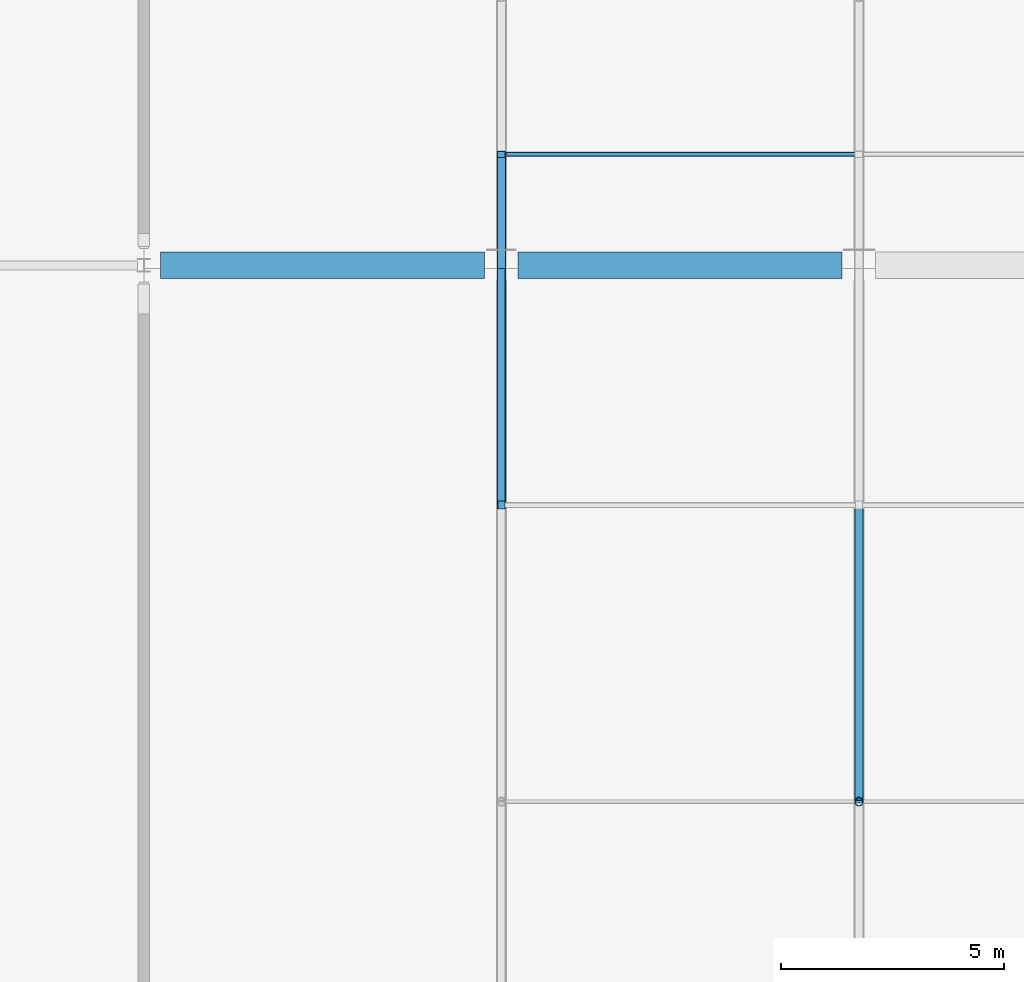
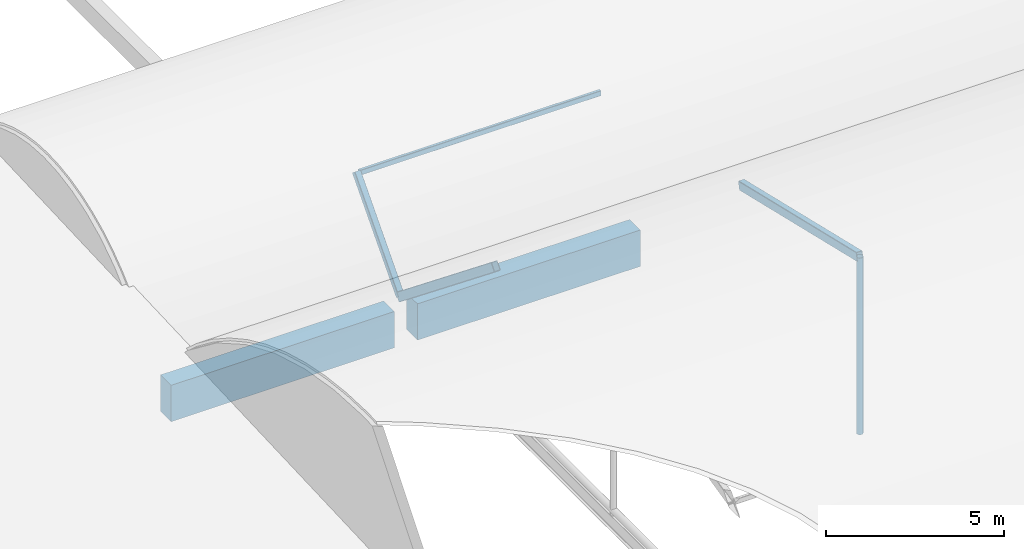
# One storey, part 6 of 57: 5 members, 2 beams.
"""IFC4 building model written with IfcOpenShell, lengths in metres."""

from ifc_helpers import new_model, si_unit, direction, frame, origin, origin_2d, place, context, subcontext, project, spatial, rectangle, hollow_rectangle, hollow_circle, extrude, material, material_profile, profile_set, type_object, element, save


model = new_model("IFC4")

# Units and contexts
model_context = context("Model", 3, precision=1e-05, world=origin(), true_north=direction((0.0, 1.0)))
body_context = subcontext(model_context, "Body", "Model", "MODEL_VIEW")
ifc_project = project(units=[si_unit("LENGTHUNIT", "METRE"), si_unit("AREAUNIT", "SQUARE_METRE"), si_unit("VOLUMEUNIT", "CUBIC_METRE"), si_unit("PLANEANGLEUNIT", "RADIAN"), si_unit("MASSUNIT", "GRAM", prefix="KILO"), si_unit("THERMODYNAMICTEMPERATUREUNIT", "KELVIN"), si_unit("POWERUNIT", "WATT")], contexts=[model_context])

# Site, building, storey
site_placement = place(None, origin())
site = spatial("IfcSite", under=ifc_project, at=site_placement, CompositionType="ELEMENT")
building_placement = place(site_placement, origin())
building = spatial("IfcBuilding", under=site, at=building_placement, Name="Kronsvod Quay Wholesale Market", CompositionType="ELEMENT")
storey_placement = place(building_placement, frame((0.0, 0.0, 13.199951171875)))
storey = spatial("IfcBuildingStorey", under=building, at=storey_placement, Name="L03", CompositionType="ELEMENT", Elevation=13.199951171875)

# Beams
ifc_material_1 = material(Name="Precast concrete C40/50", Category="concrete")
ifc_material_profile_1 = material_profile(ifc_material_1, rectangle(XDim=0.60009765625, YDim=1.25, at=origin_2d()), Name="PCVG600x1250")
ifc_profile_set_1 = profile_set([ifc_material_profile_1], Name="Precast concrete C40/50")
beam_type = type_object("IfcBeamType", Name="Girder_PCVG600x1250", PredefinedType="T_BEAM", material=ifc_profile_set_1)
for number, where, z_axis, x_axis, name in (
    (1, (32.375, 78.0, -0.844970703125), (1.0, 0.0, 0.0), (0.0, 1.0, 0.0), "BMX-L03-320-780"),
    (2, (40.375, 78.0, -0.844970703125), (1.0, 0.0, 0.0), (0.0, 1.0, 0.0), "BMX-L03-400-780"),
):
    element("IfcBeam", number, at=place(storey_placement, frame(where, z_axis=z_axis, x_axis=x_axis)), inside=storey, type_object=beam_type, Name=name, PredefinedType="T_BEAM", context=body_context, shape_type="SweptSolid", body=[
        extrude(rectangle(XDim=0.60009765625, YDim=1.25, at=origin_2d()), origin(), (0.0, 0.0, 1.0), 7.25),
    ])

# Members
ifc_material_2 = material(Name="Steel S355", Category="steel")
ifc_material_profile_2 = material_profile(ifc_material_2, hollow_rectangle(XDim=0.199951171875, YDim=0.199951171875, WallThickness=0.010009765625, InnerFilletRadius=0.010009765625, OuterFilletRadius=0.02001953125, at=origin_2d()), Name="RHS200x200x10")
ifc_profile_set_2 = profile_set([ifc_material_profile_2], Name="Steel S355")
member_type_1 = type_object("IfcMemberType", Name="Member_Arch200x200", PredefinedType="RAFTER", material=ifc_profile_set_2)
member_1_placement = place(storey_placement, frame((40.0, 78.0, -0.010009765625), z_axis=(0.0, 0.66547990509, 0.746415766126), x_axis=(-1.0, 0.0, 0.0)))
element("IfcMember", 3, at=member_1_placement, inside=storey, type_object=member_type_1, Name="ARCG-SH-V1W-N-400-0", PredefinedType="RAFTER", context=body_context, shape_type="SweptSolid", body=[
    extrude(hollow_rectangle(XDim=0.199951171875, YDim=0.199951171875, WallThickness=0.010009765625, InnerFilletRadius=0.010009765625, OuterFilletRadius=0.02001953125, at=origin_2d()), origin(), (0.0, 0.0, 1.0), 3.7314453125),
])
ifc_material_3 = material(Name="Steel S355", Category="steel")
ifc_material_profile_3 = material_profile(ifc_material_3, hollow_rectangle(XDim=0.199951171875, YDim=0.300048828125, WallThickness=0.011962890625, InnerFilletRadius=0.011962890625, OuterFilletRadius=0.02392578125, at=origin_2d()), Name="RHS300x200x12")
ifc_profile_set_3 = profile_set([ifc_material_profile_3], Name="Steel S355")
member_type_2 = type_object("IfcMemberType", Name="Member_Arch300x200", PredefinedType="RAFTER", material=ifc_profile_set_3)
member_2_placement = place(storey_placement, frame((40.0, 72.63671875, 4.2734375), z_axis=(0.0, 0.781378659876, -0.624057200816), x_axis=(-1.0, 0.0, 0.0)))
element("IfcMember", 4, at=member_2_placement, inside=storey, type_object=member_type_2, Name="ARCG-SH-V1W-M-400-3", PredefinedType="RAFTER", context=body_context, shape_type="SweptSolid", body=[
    extrude(hollow_rectangle(XDim=0.199951171875, YDim=0.300048828125, WallThickness=0.011962890625, InnerFilletRadius=0.011962890625, OuterFilletRadius=0.02392578125, at=origin_2d()), origin(), (0.0, 0.0, 1.0), 6.86376953125),
])
member_3_placement = place(storey_placement, frame((48.0, 66.0, 5.840087890625), z_axis=(0.0, 0.973251166163, -0.229743699723), x_axis=(-1.0, 0.0, 0.0)))
element("IfcMember", 5, at=member_3_placement, inside=storey, type_object=member_type_2, Name="ARCG-SH-V1W-M-480-2", PredefinedType="RAFTER", context=body_context, shape_type="SweptSolid", body=[
    extrude(hollow_rectangle(XDim=0.199951171875, YDim=0.300048828125, WallThickness=0.011962890625, InnerFilletRadius=0.011962890625, OuterFilletRadius=0.02392578125, at=origin_2d()), origin(), (0.0, 0.0, 1.0), 6.819091796875),
])
ifc_material_4 = material(Name="Steel S355", Category="steel")
ifc_material_profile_4 = material_profile(ifc_material_4, hollow_circle(Radius=0.096923828125, WallThickness=0.008056640625, at=origin_2d()), Name="CHS194x8")
ifc_profile_set_4 = profile_set([ifc_material_profile_4], Name="Steel S355")
member_type_3 = type_object("IfcMemberType", Name="Member_Brace194x8", PredefinedType="BRACE", material=ifc_profile_set_4)
member_4_placement = place(storey_placement, frame((48.0, 66.0, -0.22998046875), z_axis=(0.0, 0.0, 1.0), x_axis=(1.0, 0.0, 0.0)))
element("IfcMember", 6, at=member_4_placement, inside=storey, type_object=member_type_3, Name="KPST-SH-V1W-M-480", PredefinedType="BRACE", context=body_context, shape_type="SweptSolid", body=[
    extrude(hollow_circle(Radius=0.096923828125, WallThickness=0.008056640625, at=origin_2d()), origin(), (0.0, 0.0, 1.0), 6.070068359375),
])
ifc_material_5 = material(Name="Steel S355", Category="steel")
ifc_material_profile_5 = material_profile(ifc_material_5, hollow_rectangle(XDim=0.10009765625, YDim=0.179931640625, WallThickness=0.008056640625, InnerFilletRadius=0.008056640625, OuterFilletRadius=0.01611328125, at=origin_2d()), Name="RHS180x100x8")
ifc_profile_set_5 = profile_set([ifc_material_profile_5], Name="Steel S355")
member_type_4 = type_object("IfcMemberType", Name="Member_Purlin180x100", PredefinedType="PURLIN", material=ifc_profile_set_5)
member_5_placement = place(storey_placement, frame((40.080078125, 80.483154296875, 2.71533203125), z_axis=(1.0, 0.0, 0.0), x_axis=(0.0, 1.0, 0.0)))
element("IfcMember", 7, at=member_5_placement, inside=storey, type_object=member_type_4, Name="PRLG-SH-V1W-N-0-0", PredefinedType="PURLIN", context=body_context, shape_type="SweptSolid", body=[
    extrude(hollow_rectangle(XDim=0.10009765625, YDim=0.179931640625, WallThickness=0.008056640625, InnerFilletRadius=0.008056640625, OuterFilletRadius=0.01611328125, at=origin_2d()), origin(), (0.0, 0.0, 1.0), 7.83984375),
])

save(model, "model.ifc")
